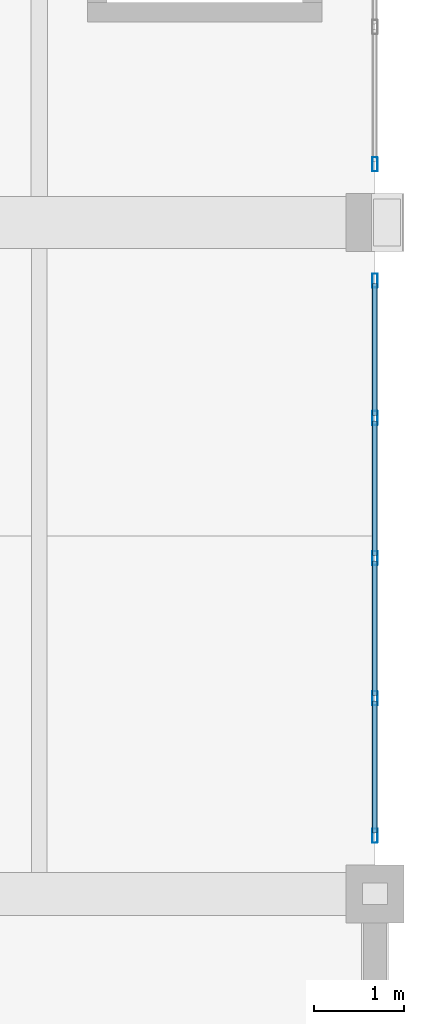
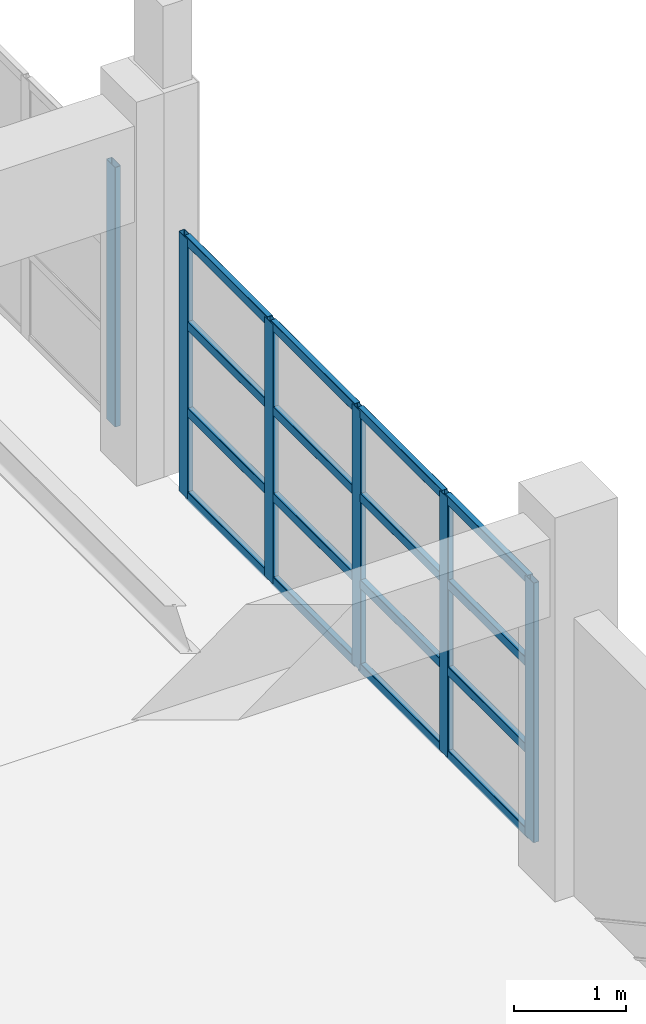
# One storey, part 19 of 51: 22 members, 2 elements without a shape of their own.
"""IFC4 building model written with IfcOpenShell, lengths in metres."""

from ifc_helpers import new_model, si_unit, direction, frame, origin, origin_2d, place, context, subcontext, project, spatial, hollow_rectangle, extrude, material, material_profile, profile_set, type_object, element, aggregate, save


model = new_model("IFC4")

# Units and contexts
model_context = context("Model", 3, precision=1e-05, world=origin(), true_north=direction((0.0, 1.0)))
body_context = subcontext(model_context, "Body", "Model", "MODEL_VIEW")
ifc_project = project(units=[si_unit("LENGTHUNIT", "METRE"), si_unit("AREAUNIT", "SQUARE_METRE"), si_unit("VOLUMEUNIT", "CUBIC_METRE"), si_unit("PLANEANGLEUNIT", "RADIAN"), si_unit("MASSUNIT", "GRAM", prefix="KILO")], contexts=[model_context])

# Site, building, storey
site_placement = place(None, origin())
site = spatial("IfcSite", under=ifc_project, at=site_placement, CompositionType="ELEMENT")
building_placement = place(site_placement, origin())
building = spatial("IfcBuilding", under=site, at=building_placement, Name="Qasida Concert Hall", CompositionType="ELEMENT")
storey_placement = place(building_placement, frame((0.0, 0.0, 21.0)))
storey = spatial("IfcBuildingStorey", under=building, at=storey_placement, Name="L05", CompositionType="ELEMENT", Elevation=21.0)

# Curtain wall, members
ifc_material_1 = material(Name="Architectural bronze-anodized aluminium and low-E glass", Category="aluminium")
curtain_wall_type = type_object("IfcCurtainWallType", Name="CW-05", PredefinedType="NOTDEFINED", material=ifc_material_1)
curtain_wall_1_placement = place(storey_placement, origin())
curtain_wall_1 = element("IfcCurtainWall", 1, at=curtain_wall_1_placement, inside=storey, type_object=curtain_wall_type, Name="L05 curtain wall CW-05 0063", PredefinedType="NOTDEFINED")
ifc_material_2 = material(Name="Architectural bronze-anodized aluminium EN AW-6063", Category="aluminium")
ifc_material_profile_1 = material_profile(ifc_material_2, hollow_rectangle(XDim=0.06005859375, YDim=0.159912109375, WallThickness=0.00390625, InnerFilletRadius=0.00390625, OuterFilletRadius=0.008056640625, at=origin_2d()), Name="CWM 160x60x4")
ifc_profile_set_1 = profile_set([ifc_material_profile_1], Name="Architectural bronze-anodized aluminium EN AW-6063")
member_type_1 = type_object("IfcMemberType", Name="MB-CWM-3", PredefinedType="MULLION", material=ifc_profile_set_1)
member_1_placement = place(storey_placement, frame((105.0, 30.64990234375, 0.0), z_axis=(0.0, 0.0, 1.0), x_axis=(-1.0, 0.0, 0.0)))
member_1 = element("IfcMember", 2, at=member_1_placement, type_object=member_type_1, Name="CW-05 mullion 1", PredefinedType="MULLION", context=body_context, shape_type="SweptSolid", body=[
    extrude(hollow_rectangle(XDim=0.06005859375, YDim=0.159912109375, WallThickness=0.00390625, InnerFilletRadius=0.00390625, OuterFilletRadius=0.008056640625, at=origin_2d()), origin(), (0.0, 0.0, 1.0), 2.840087890625),
])
member_2_placement = place(storey_placement, frame((105.0, 32.18505859375, 0.0), z_axis=(0.0, 0.0, 1.0), x_axis=(-1.0, 0.0, 0.0)))
member_2 = element("IfcMember", 3, at=member_2_placement, type_object=member_type_1, Name="CW-05 mullion 2", PredefinedType="MULLION", context=body_context, shape_type="SweptSolid", body=[
    extrude(hollow_rectangle(XDim=0.06005859375, YDim=0.159912109375, WallThickness=0.00390625, InnerFilletRadius=0.00390625, OuterFilletRadius=0.008056640625, at=origin_2d()), origin(), (0.0, 0.0, 1.0), 2.840087890625),
])
member_3_placement = place(storey_placement, frame((105.0, 33.75, 0.0), z_axis=(0.0, 0.0, 1.0), x_axis=(-1.0, 0.0, 0.0)))
member_3 = element("IfcMember", 4, at=member_3_placement, type_object=member_type_1, Name="CW-05 mullion 3", PredefinedType="MULLION", context=body_context, shape_type="SweptSolid", body=[
    extrude(hollow_rectangle(XDim=0.06005859375, YDim=0.159912109375, WallThickness=0.00390625, InnerFilletRadius=0.00390625, OuterFilletRadius=0.008056640625, at=origin_2d()), origin(), (0.0, 0.0, 1.0), 2.840087890625),
])
member_4_placement = place(storey_placement, frame((105.0, 35.31494140625, 0.0), z_axis=(0.0, 0.0, 1.0), x_axis=(-1.0, 0.0, 0.0)))
member_4 = element("IfcMember", 5, at=member_4_placement, type_object=member_type_1, Name="CW-05 mullion 4", PredefinedType="MULLION", context=body_context, shape_type="SweptSolid", body=[
    extrude(hollow_rectangle(XDim=0.06005859375, YDim=0.159912109375, WallThickness=0.00390625, InnerFilletRadius=0.00390625, OuterFilletRadius=0.008056640625, at=origin_2d()), origin(), (0.0, 0.0, 1.0), 2.840087890625),
])
member_5_placement = place(storey_placement, frame((105.0, 36.85009765625, 0.0), z_axis=(0.0, 0.0, 1.0), x_axis=(-1.0, 0.0, 0.0)))
member_5 = element("IfcMember", 6, at=member_5_placement, type_object=member_type_1, Name="CW-05 mullion 5", PredefinedType="MULLION", context=body_context, shape_type="SweptSolid", body=[
    extrude(hollow_rectangle(XDim=0.06005859375, YDim=0.159912109375, WallThickness=0.00390625, InnerFilletRadius=0.00390625, OuterFilletRadius=0.008056640625, at=origin_2d()), origin(), (0.0, 0.0, 1.0), 2.840087890625),
])

# Curtain wall, member
curtain_wall_2_placement = place(storey_placement, origin())
curtain_wall_2 = element("IfcCurtainWall", 7, at=curtain_wall_2_placement, inside=storey, type_object=curtain_wall_type, Name="L05 curtain wall CW-05 0065", PredefinedType="NOTDEFINED")
member_6_placement = place(storey_placement, frame((105.0, 38.14990234375, 0.0), z_axis=(0.0, 0.0, 1.0), x_axis=(-1.0, 0.0, 0.0)))
member_6 = element("IfcMember", 8, at=member_6_placement, type_object=member_type_1, Name="CW-05 mullion 1", PredefinedType="MULLION", context=body_context, shape_type="SweptSolid", body=[
    extrude(hollow_rectangle(XDim=0.06005859375, YDim=0.159912109375, WallThickness=0.00390625, InnerFilletRadius=0.00390625, OuterFilletRadius=0.008056640625, at=origin_2d()), origin(), (0.0, 0.0, 1.0), 2.840087890625),
])
aggregate(curtain_wall_2, [member_6])

# Member
ifc_material_profile_2 = material_profile(ifc_material_2, hollow_rectangle(XDim=0.06005859375, YDim=0.10009765625, WallThickness=0.00341796875, InnerFilletRadius=0.00341796875, OuterFilletRadius=0.007080078125, at=origin_2d()), Name="CWT 100x60x3.5")
ifc_profile_set_2 = profile_set([ifc_material_profile_2], Name="Architectural bronze-anodized aluminium EN AW-6063")
member_type_2 = type_object("IfcMemberType", Name="MB-CWT-3", PredefinedType="USERDEFINED", material=ifc_profile_set_2)
member_7_placement = place(storey_placement, frame((105.0, 30.679931640625, 0.030029296875), z_axis=(0.0, 1.0, 0.0), x_axis=(-1.0, 0.0, 0.0)))
member_7 = element("IfcMember", 9, at=member_7_placement, type_object=member_type_2, Name="CW-05 transom 1.1", ObjectType="TRANSOM", PredefinedType="USERDEFINED", context=body_context, shape_type="SweptSolid", body=[
    extrude(hollow_rectangle(XDim=0.06005859375, YDim=0.10009765625, WallThickness=0.00341796875, InnerFilletRadius=0.00341796875, OuterFilletRadius=0.007080078125, at=origin_2d()), origin(), (0.0, 0.0, 1.0), 1.47509765625),
])

member_8_placement = place(storey_placement, frame((105.0, 30.679931640625, 0.94677734375), z_axis=(0.0, 1.0, 0.0), x_axis=(-1.0, 0.0, 0.0)))
member_8 = element("IfcMember", 10, at=member_8_placement, type_object=member_type_2, Name="CW-05 transom 1.2", ObjectType="TRANSOM", PredefinedType="USERDEFINED", context=body_context, shape_type="SweptSolid", body=[
    extrude(hollow_rectangle(XDim=0.06005859375, YDim=0.10009765625, WallThickness=0.00341796875, InnerFilletRadius=0.00341796875, OuterFilletRadius=0.007080078125, at=origin_2d()), origin(), (0.0, 0.0, 1.0), 1.47509765625),
])

member_9_placement = place(storey_placement, frame((105.0, 30.679931640625, 1.893310546875), z_axis=(0.0, 1.0, 0.0), x_axis=(-1.0, 0.0, 0.0)))
member_9 = element("IfcMember", 11, at=member_9_placement, type_object=member_type_2, Name="CW-05 transom 1.3", ObjectType="TRANSOM", PredefinedType="USERDEFINED", context=body_context, shape_type="SweptSolid", body=[
    extrude(hollow_rectangle(XDim=0.06005859375, YDim=0.10009765625, WallThickness=0.00341796875, InnerFilletRadius=0.00341796875, OuterFilletRadius=0.007080078125, at=origin_2d()), origin(), (0.0, 0.0, 1.0), 1.47509765625),
])

member_10_placement = place(storey_placement, frame((105.0, 30.679931640625, 2.81005859375), z_axis=(0.0, 1.0, 0.0), x_axis=(-1.0, 0.0, 0.0)))
member_10 = element("IfcMember", 12, at=member_10_placement, type_object=member_type_2, Name="CW-05 transom 1.4", ObjectType="TRANSOM", PredefinedType="USERDEFINED", context=body_context, shape_type="SweptSolid", body=[
    extrude(hollow_rectangle(XDim=0.06005859375, YDim=0.10009765625, WallThickness=0.00341796875, InnerFilletRadius=0.00341796875, OuterFilletRadius=0.007080078125, at=origin_2d()), origin(), (0.0, 0.0, 1.0), 1.47509765625),
])

member_11_placement = place(storey_placement, frame((105.0, 32.215087890625, 0.030029296875), z_axis=(0.0, 1.0, 0.0), x_axis=(-1.0, 0.0, 0.0)))
member_11 = element("IfcMember", 13, at=member_11_placement, type_object=member_type_2, Name="CW-05 transom 2.1", ObjectType="TRANSOM", PredefinedType="USERDEFINED", context=body_context, shape_type="SweptSolid", body=[
    extrude(hollow_rectangle(XDim=0.06005859375, YDim=0.10009765625, WallThickness=0.00341796875, InnerFilletRadius=0.00341796875, OuterFilletRadius=0.007080078125, at=origin_2d()), origin(), (0.0, 0.0, 1.0), 1.5048828125),
])

member_12_placement = place(storey_placement, frame((105.0, 32.215087890625, 0.94677734375), z_axis=(0.0, 1.0, 0.0), x_axis=(-1.0, 0.0, 0.0)))
member_12 = element("IfcMember", 14, at=member_12_placement, type_object=member_type_2, Name="CW-05 transom 2.2", ObjectType="TRANSOM", PredefinedType="USERDEFINED", context=body_context, shape_type="SweptSolid", body=[
    extrude(hollow_rectangle(XDim=0.06005859375, YDim=0.10009765625, WallThickness=0.00341796875, InnerFilletRadius=0.00341796875, OuterFilletRadius=0.007080078125, at=origin_2d()), origin(), (0.0, 0.0, 1.0), 1.5048828125),
])

member_13_placement = place(storey_placement, frame((105.0, 32.215087890625, 1.893310546875), z_axis=(0.0, 1.0, 0.0), x_axis=(-1.0, 0.0, 0.0)))
member_13 = element("IfcMember", 15, at=member_13_placement, type_object=member_type_2, Name="CW-05 transom 2.3", ObjectType="TRANSOM", PredefinedType="USERDEFINED", context=body_context, shape_type="SweptSolid", body=[
    extrude(hollow_rectangle(XDim=0.06005859375, YDim=0.10009765625, WallThickness=0.00341796875, InnerFilletRadius=0.00341796875, OuterFilletRadius=0.007080078125, at=origin_2d()), origin(), (0.0, 0.0, 1.0), 1.5048828125),
])

member_14_placement = place(storey_placement, frame((105.0, 32.215087890625, 2.81005859375), z_axis=(0.0, 1.0, 0.0), x_axis=(-1.0, 0.0, 0.0)))
member_14 = element("IfcMember", 16, at=member_14_placement, type_object=member_type_2, Name="CW-05 transom 2.4", ObjectType="TRANSOM", PredefinedType="USERDEFINED", context=body_context, shape_type="SweptSolid", body=[
    extrude(hollow_rectangle(XDim=0.06005859375, YDim=0.10009765625, WallThickness=0.00341796875, InnerFilletRadius=0.00341796875, OuterFilletRadius=0.007080078125, at=origin_2d()), origin(), (0.0, 0.0, 1.0), 1.5048828125),
])

member_15_placement = place(storey_placement, frame((105.0, 33.780029296875, 0.030029296875), z_axis=(0.0, 1.0, 0.0), x_axis=(-1.0, 0.0, 0.0)))
member_15 = element("IfcMember", 17, at=member_15_placement, type_object=member_type_2, Name="CW-05 transom 3.1", ObjectType="TRANSOM", PredefinedType="USERDEFINED", context=body_context, shape_type="SweptSolid", body=[
    extrude(hollow_rectangle(XDim=0.06005859375, YDim=0.10009765625, WallThickness=0.00341796875, InnerFilletRadius=0.00341796875, OuterFilletRadius=0.007080078125, at=origin_2d()), origin(), (0.0, 0.0, 1.0), 1.5048828125),
])

member_16_placement = place(storey_placement, frame((105.0, 33.780029296875, 0.94677734375), z_axis=(0.0, 1.0, 0.0), x_axis=(-1.0, 0.0, 0.0)))
member_16 = element("IfcMember", 18, at=member_16_placement, type_object=member_type_2, Name="CW-05 transom 3.2", ObjectType="TRANSOM", PredefinedType="USERDEFINED", context=body_context, shape_type="SweptSolid", body=[
    extrude(hollow_rectangle(XDim=0.06005859375, YDim=0.10009765625, WallThickness=0.00341796875, InnerFilletRadius=0.00341796875, OuterFilletRadius=0.007080078125, at=origin_2d()), origin(), (0.0, 0.0, 1.0), 1.5048828125),
])

member_17_placement = place(storey_placement, frame((105.0, 33.780029296875, 1.893310546875), z_axis=(0.0, 1.0, 0.0), x_axis=(-1.0, 0.0, 0.0)))
member_17 = element("IfcMember", 19, at=member_17_placement, type_object=member_type_2, Name="CW-05 transom 3.3", ObjectType="TRANSOM", PredefinedType="USERDEFINED", context=body_context, shape_type="SweptSolid", body=[
    extrude(hollow_rectangle(XDim=0.06005859375, YDim=0.10009765625, WallThickness=0.00341796875, InnerFilletRadius=0.00341796875, OuterFilletRadius=0.007080078125, at=origin_2d()), origin(), (0.0, 0.0, 1.0), 1.5048828125),
])

member_18_placement = place(storey_placement, frame((105.0, 33.780029296875, 2.81005859375), z_axis=(0.0, 1.0, 0.0), x_axis=(-1.0, 0.0, 0.0)))
member_18 = element("IfcMember", 20, at=member_18_placement, type_object=member_type_2, Name="CW-05 transom 3.4", ObjectType="TRANSOM", PredefinedType="USERDEFINED", context=body_context, shape_type="SweptSolid", body=[
    extrude(hollow_rectangle(XDim=0.06005859375, YDim=0.10009765625, WallThickness=0.00341796875, InnerFilletRadius=0.00341796875, OuterFilletRadius=0.007080078125, at=origin_2d()), origin(), (0.0, 0.0, 1.0), 1.5048828125),
])

member_19_placement = place(storey_placement, frame((105.0, 35.344970703125, 0.030029296875), z_axis=(0.0, 1.0, 0.0), x_axis=(-1.0, 0.0, 0.0)))
member_19 = element("IfcMember", 21, at=member_19_placement, type_object=member_type_2, Name="CW-05 transom 4.1", ObjectType="TRANSOM", PredefinedType="USERDEFINED", context=body_context, shape_type="SweptSolid", body=[
    extrude(hollow_rectangle(XDim=0.06005859375, YDim=0.10009765625, WallThickness=0.00341796875, InnerFilletRadius=0.00341796875, OuterFilletRadius=0.007080078125, at=origin_2d()), origin(), (0.0, 0.0, 1.0), 1.47509765625),
])

member_20_placement = place(storey_placement, frame((105.0, 35.344970703125, 0.94677734375), z_axis=(0.0, 1.0, 0.0), x_axis=(-1.0, 0.0, 0.0)))
member_20 = element("IfcMember", 22, at=member_20_placement, type_object=member_type_2, Name="CW-05 transom 4.2", ObjectType="TRANSOM", PredefinedType="USERDEFINED", context=body_context, shape_type="SweptSolid", body=[
    extrude(hollow_rectangle(XDim=0.06005859375, YDim=0.10009765625, WallThickness=0.00341796875, InnerFilletRadius=0.00341796875, OuterFilletRadius=0.007080078125, at=origin_2d()), origin(), (0.0, 0.0, 1.0), 1.47509765625),
])

member_21_placement = place(storey_placement, frame((105.0, 35.344970703125, 1.893310546875), z_axis=(0.0, 1.0, 0.0), x_axis=(-1.0, 0.0, 0.0)))
member_21 = element("IfcMember", 23, at=member_21_placement, type_object=member_type_2, Name="CW-05 transom 4.3", ObjectType="TRANSOM", PredefinedType="USERDEFINED", context=body_context, shape_type="SweptSolid", body=[
    extrude(hollow_rectangle(XDim=0.06005859375, YDim=0.10009765625, WallThickness=0.00341796875, InnerFilletRadius=0.00341796875, OuterFilletRadius=0.007080078125, at=origin_2d()), origin(), (0.0, 0.0, 1.0), 1.47509765625),
])

member_22_placement = place(storey_placement, frame((105.0, 35.344970703125, 2.81005859375), z_axis=(0.0, 1.0, 0.0), x_axis=(-1.0, 0.0, 0.0)))
member_22 = element("IfcMember", 24, at=member_22_placement, type_object=member_type_2, Name="CW-05 transom 4.4", ObjectType="TRANSOM", PredefinedType="USERDEFINED", context=body_context, shape_type="SweptSolid", body=[
    extrude(hollow_rectangle(XDim=0.06005859375, YDim=0.10009765625, WallThickness=0.00341796875, InnerFilletRadius=0.00341796875, OuterFilletRadius=0.007080078125, at=origin_2d()), origin(), (0.0, 0.0, 1.0), 1.47509765625),
])

aggregate(curtain_wall_1, [member_1, member_2, member_3, member_4, member_5, member_7, member_8, member_9, member_10, member_11, member_12, member_13, member_14, member_15, member_16, member_17, member_18, member_19, member_20, member_21, member_22])

save(model, "model.ifc")
